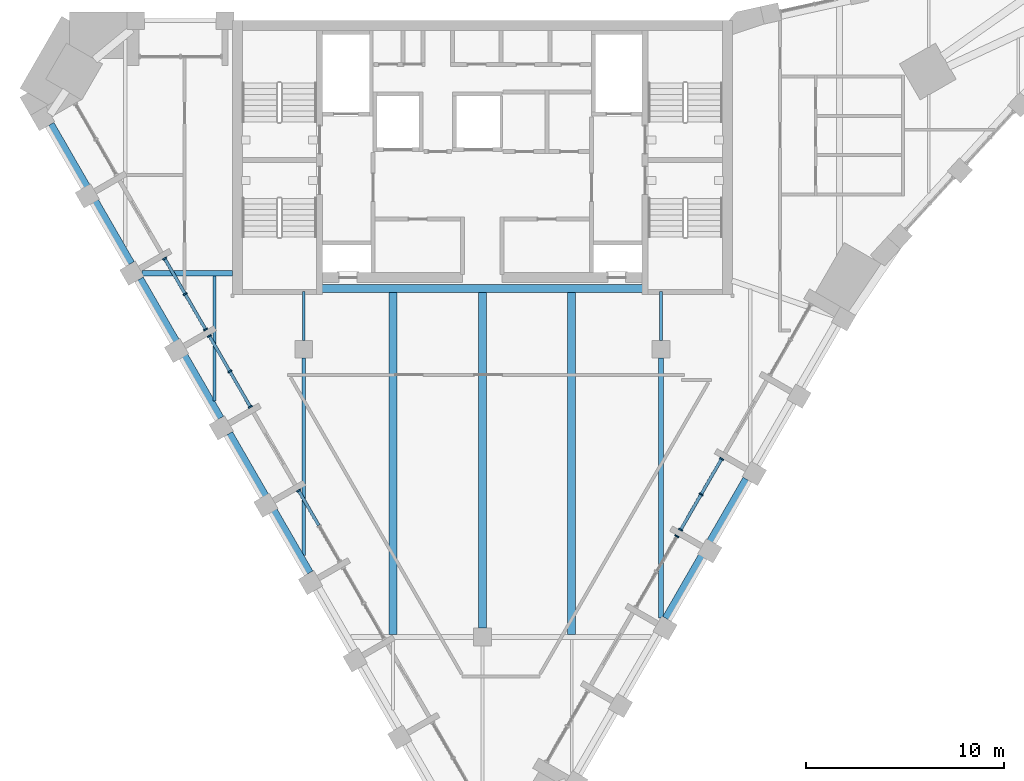
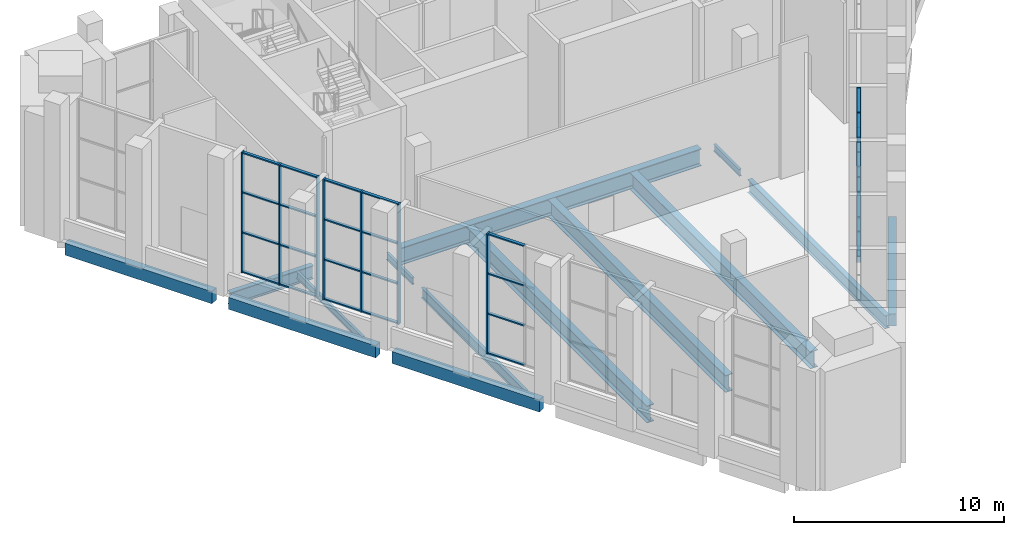
# One storey, part 3 of 16: 39 members, 14 beams, 5 elements without a shape of their own.
"""IFC4 building model written with IfcOpenShell, lengths in metres."""

from ifc_helpers import new_model, si_unit, direction, frame, origin, origin_2d, place, context, subcontext, project, spatial, rectangle, i_section, extrude, material, material_profile, profile_set, type_object, element, aggregate, save


model = new_model("IFC4")

# Units and contexts
model_context = context("Model", 3, precision=1e-05, world=origin(), true_north=direction((0.0, 1.0)))
body_context = subcontext(model_context, "Body", "Model", "MODEL_VIEW")
ifc_project = project(units=[si_unit("LENGTHUNIT", "METRE"), si_unit("AREAUNIT", "SQUARE_METRE"), si_unit("VOLUMEUNIT", "CUBIC_METRE"), si_unit("PLANEANGLEUNIT", "RADIAN"), si_unit("MASSUNIT", "GRAM", prefix="KILO")], contexts=[model_context])

# Site, building, storey
site_placement = place(None, origin())
site = spatial("IfcSite", under=ifc_project, at=site_placement, CompositionType="ELEMENT")
building_placement = place(site_placement, origin())
building = spatial("IfcBuilding", under=site, at=building_placement, Name="Calabash Gate Tower", CompositionType="ELEMENT")
storey_placement = place(building_placement, frame((0.0, 0.0, 302.5)))
storey = spatial("IfcBuildingStorey", under=building, at=storey_placement, Name="L72", CompositionType="ELEMENT", Elevation=302.5)

# Beams
ifc_material_1 = material(Name="Concrete C50/60", Category="concrete")
ifc_material_profile_1 = material_profile(ifc_material_1, rectangle(XDim=0.39990234375, YDim=0.699951171875, at=origin_2d()))
ifc_profile_set_1 = profile_set([ifc_material_profile_1], Name="Concrete C50/60")
beam_type_1 = type_object("IfcBeamType", Name="Edge beam RC 400x700 Concrete C50/60", PredefinedType="BEAM", material=ifc_profile_set_1)
beam_1_placement = place(storey_placement, frame((-12.763916015625, -1.758056640625, -0.64990234375), z_axis=(0.499977274689, -0.866038523851, 0.0), x_axis=(0.866038523851, 0.499977274689, 0.0)))
element("IfcBeam", 1, at=beam_1_placement, inside=storey, type_object=beam_type_1, Name="Edge beam L72 1", PredefinedType="BEAM", context=body_context, shape_type="SweptSolid", body=[
    extrude(rectangle(XDim=0.39990234375, YDim=0.699951171875, at=origin_2d()), origin(), (0.0, 0.0, 1.0), 8.10009765625),
])
beam_2_placement = place(storey_placement, frame((9.260009765625, -11.069091796875, -0.64990234375), z_axis=(0.499986829629, 0.866033007568, 0.0), x_axis=(-0.866033007568, 0.499986829629, 0.0)))
element("IfcBeam", 2, at=beam_2_placement, inside=storey, type_object=beam_type_1, Name="Edge beam L72 7", PredefinedType="BEAM", context=body_context, shape_type="SweptSolid", body=[
    extrude(rectangle(XDim=0.39990234375, YDim=0.699951171875, at=origin_2d()), origin(), (0.0, 0.0, 1.0), 8.100341796875),
])
beam_3_placement = place(storey_placement, frame((-21.763916015625, 13.830078125, -0.64990234375), z_axis=(0.500016430238, -0.866015917575, 0.0), x_axis=(0.866015917575, 0.500016430238, 0.0)))
element("IfcBeam", 3, at=beam_3_placement, inside=storey, type_object=beam_type_1, Name="Edge beam L72 18", PredefinedType="BEAM", context=body_context, shape_type="SweptSolid", body=[
    extrude(rectangle(XDim=0.39990234375, YDim=0.699951171875, at=origin_2d()), origin(), (0.0, 0.0, 1.0), 8.099365234375),
])
beam_4_placement = place(storey_placement, frame((-17.263916015625, 6.035888671875, -0.64990234375), z_axis=(0.499977274689, -0.866038523851, 0.0), x_axis=(0.866038523851, 0.499977274689, 0.0)))
element("IfcBeam", 4, at=beam_4_placement, inside=storey, type_object=beam_type_1, Name="Edge beam L72 19", PredefinedType="BEAM", context=body_context, shape_type="SweptSolid", body=[
    extrude(rectangle(XDim=0.39990234375, YDim=0.699951171875, at=origin_2d()), origin(), (0.0, 0.0, 1.0), 8.10009765625),
])
ifc_material_2 = material(Name="Steel ASTM A992 Gr50", Category="steel")
ifc_material_profile_2 = material_profile(ifc_material_2, i_section(OverallWidth=0.1396484375, OverallDepth=0.398681640625, WebThickness=0.00634765625, FlangeThickness=0.0087890625, FilletRadius=0.01025390625, at=origin_2d()))
ifc_profile_set_2 = profile_set([ifc_material_profile_2], Name="Steel ASTM A992 Gr50")
beam_type_2 = type_object("IfcBeamType", Name="Floor beam W16x26 ASTM A992 Gr50", PredefinedType="BEAM", material=ifc_profile_set_2)
beam_5_placement = place(storey_placement, frame((-13.5, -0.113037109375, -0.4990234375), z_axis=(0.0, 1.0, 0.0), x_axis=(-1.0, 0.0, 0.0)))
element("IfcBeam", 5, at=beam_5_placement, inside=storey, type_object=beam_type_2, Name="Floor beam L72 2", PredefinedType="BEAM", context=body_context, shape_type="SweptSolid", body=[
    extrude(i_section(OverallWidth=0.1396484375, OverallDepth=0.398681640625, WebThickness=0.00634765625, FlangeThickness=0.0087890625, FilletRadius=0.01025390625, at=origin_2d()), origin(), (0.0, 0.0, 1.0), 6.304931640625),
])
for number, where, z_axis, x_axis, name in (
    (6, (-9.0, 2.949951171875, -0.4990234375), (0.0, 1.0, 0.0), (-1.0, 0.0, 0.0), "Floor beam L72 4"),
    (7, (9.0, 2.949951171875, -0.4990234375), (0.0, 1.0, 0.0), (-1.0, 0.0, 0.0), "Floor beam L72 12"),
):
    element("IfcBeam", number, at=place(storey_placement, frame(where, z_axis=z_axis, x_axis=x_axis)), inside=storey, type_object=beam_type_2, Name=name, PredefinedType="BEAM", context=body_context, shape_type="SweptSolid", body=[
        extrude(i_section(OverallWidth=0.1396484375, OverallDepth=0.398681640625, WebThickness=0.00634765625, FlangeThickness=0.0087890625, FilletRadius=0.01025390625, at=origin_2d()), origin(), (0.0, 0.0, 1.0), 2.453125),
    ])
ifc_material_3 = material(Name="Steel ASTM A992 Gr50", Category="steel")
ifc_material_profile_3 = material_profile(ifc_material_3, i_section(OverallWidth=0.1787109375, OverallDepth=0.60205078125, WebThickness=0.010986328125, FlangeThickness=0.014892578125, FilletRadius=0.0126953125, at=origin_2d()))
ifc_profile_set_3 = profile_set([ifc_material_profile_3], Name="Steel ASTM A992 Gr50")
beam_type_3 = type_object("IfcBeamType", Name="Floor beam W24x62 ASTM A992 Gr50", PredefinedType="BEAM", material=ifc_profile_set_3)
beam_6_placement = place(storey_placement, frame((-9.0, -7.888916015625, -0.60107421875), z_axis=(0.0, 1.0, 0.0), x_axis=(-1.0, 0.0, 0.0)))
element("IfcBeam", 8, at=beam_6_placement, inside=storey, type_object=beam_type_3, Name="Floor beam L72 3", PredefinedType="BEAM", context=body_context, shape_type="SweptSolid", body=[
    extrude(i_section(OverallWidth=0.1787109375, OverallDepth=0.60205078125, WebThickness=0.010986328125, FlangeThickness=0.014892578125, FilletRadius=0.0126953125, at=origin_2d()), origin(), (0.0, 0.0, 1.0), 9.93896484375),
])
ifc_material_4 = material(Name="Steel ASTM A992 Gr50", Category="steel")
ifc_material_profile_4 = material_profile(ifc_material_4, i_section(OverallWidth=0.2666015625, OverallDepth=0.7568359375, WebThickness=0.013916015625, FlangeThickness=0.019287109375, FilletRadius=0.0166015625, at=origin_2d()))
ifc_profile_set_4 = profile_set([ifc_material_profile_4], Name="Steel ASTM A992 Gr50")
beam_type_4 = type_object("IfcBeamType", Name="Floor beam W30x108 ASTM A992 Gr50", PredefinedType="BEAM", material=ifc_profile_set_4)
beam_7_placement = place(storey_placement, frame((9.0, -11.051025390625, -0.677978515625), z_axis=(0.0, 1.0, 0.0), x_axis=(-1.0, 0.0, 0.0)))
element("IfcBeam", 9, at=beam_7_placement, inside=storey, type_object=beam_type_4, Name="Floor beam L72 11", PredefinedType="BEAM", context=body_context, shape_type="SweptSolid", body=[
    extrude(i_section(OverallWidth=0.2666015625, OverallDepth=0.7568359375, WebThickness=0.013916015625, FlangeThickness=0.019287109375, FilletRadius=0.0166015625, at=origin_2d()), origin(), (0.0, 0.0, 1.0), 13.10107421875),
])
ifc_material_5 = material(Name="Steel ASTM A992 Gr50", Category="steel")
ifc_material_profile_5 = material_profile(ifc_material_5, i_section(OverallWidth=0.4013671875, OverallDepth=0.990478515625, WebThickness=0.0166015625, FlangeThickness=0.031005859375, FilletRadius=0.030029296875, at=origin_2d()))
ifc_profile_set_5 = profile_set([ifc_material_profile_5], Name="Steel ASTM A992 Gr50")
beam_type_5 = type_object("IfcBeamType", Name="Floor beam W40x215 ASTM A992 Gr50", PredefinedType="BEAM", material=ifc_profile_set_5)
beam_8_placement = place(storey_placement, frame((-4.5, -11.866943359375, -0.79296875), z_axis=(0.0, 1.0, 0.0), x_axis=(-1.0, 0.0, 0.0)))
element("IfcBeam", 10, at=beam_8_placement, inside=storey, type_object=beam_type_5, Name="Floor beam L72 6", PredefinedType="BEAM", context=body_context, shape_type="SweptSolid", body=[
    extrude(i_section(OverallWidth=0.4013671875, OverallDepth=0.990478515625, WebThickness=0.0166015625, FlangeThickness=0.031005859375, FilletRadius=0.030029296875, at=origin_2d()), origin(), (0.0, 0.0, 1.0), 17.218994140625),
])
beam_9_placement = place(storey_placement, frame((0.0, -11.550048828125, -0.79296875), z_axis=(0.0, 1.0, 0.0), x_axis=(-1.0, 0.0, 0.0)))
element("IfcBeam", 11, at=beam_9_placement, inside=storey, type_object=beam_type_5, Name="Floor beam L72 8", PredefinedType="BEAM", context=body_context, shape_type="SweptSolid", body=[
    extrude(i_section(OverallWidth=0.4013671875, OverallDepth=0.990478515625, WebThickness=0.0166015625, FlangeThickness=0.031005859375, FilletRadius=0.030029296875, at=origin_2d()), origin(), (0.0, 0.0, 1.0), 16.902099609375),
])
beam_10_placement = place(storey_placement, frame((4.5, -11.866943359375, -0.79296875), z_axis=(0.0, 1.0, 0.0), x_axis=(-1.0, 0.0, 0.0)))
element("IfcBeam", 12, at=beam_10_placement, inside=storey, type_object=beam_type_5, Name="Floor beam L72 10", PredefinedType="BEAM", context=body_context, shape_type="SweptSolid", body=[
    extrude(i_section(OverallWidth=0.4013671875, OverallDepth=0.990478515625, WebThickness=0.0166015625, FlangeThickness=0.031005859375, FilletRadius=0.030029296875, at=origin_2d()), origin(), (0.0, 0.0, 1.0), 17.218994140625),
])
ifc_material_6 = material(Name="Steel ASTM A992 Gr50", Category="steel")
ifc_material_profile_6 = material_profile(ifc_material_6, i_section(OverallWidth=0.2666015625, OverallDepth=0.77978515625, WebThickness=0.0166015625, FlangeThickness=0.030029296875, FilletRadius=0.0166015625, at=origin_2d()))
ifc_profile_set_6 = profile_set([ifc_material_profile_6], Name="Steel ASTM A992 Gr50")
beam_type_6 = type_object("IfcBeamType", Name="Girder W30x148 ASTM A992 Gr50", PredefinedType="BEAM", material=ifc_profile_set_6)
beam_11_placement = place(storey_placement, frame((-17.1640625, 6.325927734375, -0.68994140625), z_axis=(1.0, 0.0, 0.0), x_axis=(0.0, 1.0, 0.0)))
element("IfcBeam", 13, at=beam_11_placement, inside=storey, type_object=beam_type_6, Name="Girder L72 2", PredefinedType="BEAM", context=body_context, shape_type="SweptSolid", body=[
    extrude(i_section(OverallWidth=0.2666015625, OverallDepth=0.77978515625, WebThickness=0.0166015625, FlangeThickness=0.030029296875, FilletRadius=0.0166015625, at=origin_2d()), origin(), (0.0, 0.0, 1.0), 4.56396484375),
])
ifc_material_7 = material(Name="Steel ASTM A992 Gr50", Category="steel")
ifc_material_profile_7 = material_profile(ifc_material_7, i_section(OverallWidth=0.4013671875, OverallDepth=1.000732421875, WebThickness=0.01904296875, FlangeThickness=0.0361328125, FilletRadius=0.030029296875, at=origin_2d()))
ifc_profile_set_7 = profile_set([ifc_material_profile_7], Name="Steel ASTM A992 Gr50")
beam_type_7 = type_object("IfcBeamType", Name="Girder W40x249 ASTM A992 Gr50", PredefinedType="BEAM", material=ifc_profile_set_7)
beam_12_placement = place(storey_placement, frame((-8.25, 5.552978515625, -0.800048828125), z_axis=(1.0, 0.0, 0.0), x_axis=(0.0, 1.0, 0.0)))
element("IfcBeam", 14, at=beam_12_placement, inside=storey, type_object=beam_type_7, Name="Girder L72 1", PredefinedType="BEAM", context=body_context, shape_type="SweptSolid", body=[
    extrude(i_section(OverallWidth=0.4013671875, OverallDepth=1.000732421875, WebThickness=0.01904296875, FlangeThickness=0.0361328125, FilletRadius=0.030029296875, at=origin_2d()), origin(), (0.0, 0.0, 1.0), 16.5),
])

# Curtain wall, members
ifc_material_8 = material(Name="Anodised aluminium frame, bronze finish, clear laminated impact-rated glazing", Category="aluminium")
curtain_wall_type = type_object("IfcCurtainWallType", Name="Curtain wall CWO observation deck wall", PredefinedType="NOTDEFINED", material=ifc_material_8)
curtain_wall_1_placement = place(storey_placement, origin())
curtain_wall_1 = element("IfcCurtainWall", 15, at=curtain_wall_1_placement, inside=storey, type_object=curtain_wall_type, Name="Curtain wall CWO L72 SW0.3", PredefinedType="NOTDEFINED")
ifc_material_9 = material(Name="Anodised aluminium frame, bronze finish", Category="aluminium")
ifc_material_profile_8 = material_profile(ifc_material_9, rectangle(XDim=0.219970703125, YDim=0.074951171875, at=origin_2d()))
ifc_profile_set_8 = profile_set([ifc_material_profile_8], Name="Anodised aluminium frame, bronze finish")
member_type_1 = type_object("IfcMemberType", Name="Mullion CWO 75x220", PredefinedType="MULLION", material=ifc_profile_set_8)
member_1_placement = place(storey_placement, frame((-16.00927734375, 7.0634765625, 0.0), z_axis=(0.0, 0.0, 1.0), x_axis=(0.866025421884, 0.499999968652, 0.0)))
member_1 = element("IfcMember", 16, at=member_1_placement, type_object=member_type_1, Name="CWO mullion 1", PredefinedType="MULLION", context=body_context, shape_type="SweptSolid", body=[
    extrude(rectangle(XDim=0.219970703125, YDim=0.074951171875, at=origin_2d()), origin(), (0.0, 0.0, 1.0), 7.0),
])
member_2_placement = place(storey_placement, frame((-14.97802734375, 5.27734375, 0.0), z_axis=(0.0, 0.0, 1.0), x_axis=(0.866025421884, 0.499999968652, 0.0)))
member_2 = element("IfcMember", 17, at=member_2_placement, type_object=member_type_1, Name="CWO mullion 2", PredefinedType="MULLION", context=body_context, shape_type="SweptSolid", body=[
    extrude(rectangle(XDim=0.219970703125, YDim=0.074951171875, at=origin_2d()), origin(), (0.0, 0.0, 1.0), 7.0),
])
member_3_placement = place(storey_placement, frame((-13.94677734375, 3.4912109375, 0.0), z_axis=(0.0, 0.0, 1.0), x_axis=(0.866025421884, 0.499999968652, 0.0)))
member_3 = element("IfcMember", 18, at=member_3_placement, type_object=member_type_1, Name="CWO mullion 3", PredefinedType="MULLION", context=body_context, shape_type="SweptSolid", body=[
    extrude(rectangle(XDim=0.219970703125, YDim=0.074951171875, at=origin_2d()), origin(), (0.0, 0.0, 1.0), 7.0),
])

curtain_wall_2_placement = place(storey_placement, origin())
curtain_wall_2 = element("IfcCurtainWall", 19, at=curtain_wall_2_placement, inside=storey, type_object=curtain_wall_type, Name="Curtain wall CWO L72 SW0.4", PredefinedType="NOTDEFINED")
member_4_placement = place(storey_placement, frame((-13.75927734375, 3.166259765625, 0.0), z_axis=(0.0, 0.0, 1.0), x_axis=(0.866025362359, 0.500000071751, 0.0)))
member_4 = element("IfcMember", 20, at=member_4_placement, type_object=member_type_1, Name="CWO mullion 1", PredefinedType="MULLION", context=body_context, shape_type="SweptSolid", body=[
    extrude(rectangle(XDim=0.219970703125, YDim=0.074951171875, at=origin_2d()), origin(), (0.0, 0.0, 1.0), 7.0),
])
member_5_placement = place(storey_placement, frame((-12.72802734375, 1.380126953125, 0.0), z_axis=(0.0, 0.0, 1.0), x_axis=(0.866025362359, 0.500000071751, 0.0)))
member_5 = element("IfcMember", 21, at=member_5_placement, type_object=member_type_1, Name="CWO mullion 2", PredefinedType="MULLION", context=body_context, shape_type="SweptSolid", body=[
    extrude(rectangle(XDim=0.219970703125, YDim=0.074951171875, at=origin_2d()), origin(), (0.0, 0.0, 1.0), 7.0),
])
member_6_placement = place(storey_placement, frame((-11.69677734375, -0.406005859375, 0.0), z_axis=(0.0, 0.0, 1.0), x_axis=(0.866025362359, 0.500000071751, 0.0)))
member_6 = element("IfcMember", 22, at=member_6_placement, type_object=member_type_1, Name="CWO mullion 3", PredefinedType="MULLION", context=body_context, shape_type="SweptSolid", body=[
    extrude(rectangle(XDim=0.219970703125, YDim=0.074951171875, at=origin_2d()), origin(), (0.0, 0.0, 1.0), 7.0),
])

# Curtain wall, member
curtain_wall_3_placement = place(storey_placement, origin())
curtain_wall_3 = element("IfcCurtainWall", 23, at=curtain_wall_3_placement, inside=storey, type_object=curtain_wall_type, Name="Curtain wall CWO L72 SW0.6", PredefinedType="NOTDEFINED")
member_7_placement = place(storey_placement, frame((-9.25927734375, -4.6279296875, 0.0), z_axis=(0.0, 0.0, 1.0), x_axis=(0.866025421884, 0.499999968652, 0.0)))
member_7 = element("IfcMember", 24, at=member_7_placement, type_object=member_type_1, Name="CWO mullion 1", PredefinedType="MULLION", context=body_context, shape_type="SweptSolid", body=[
    extrude(rectangle(XDim=0.219970703125, YDim=0.074951171875, at=origin_2d()), origin(), (0.0, 0.0, 1.0), 7.0),
])

curtain_wall_4_placement = place(storey_placement, origin())
curtain_wall_4 = element("IfcCurtainWall", 25, at=curtain_wall_4_placement, inside=storey, type_object=curtain_wall_type, Name="Curtain wall CWO L72 SE2.3", PredefinedType="NOTDEFINED")
member_8_placement = place(storey_placement, frame((9.805419921875, -6.92431640625, 0.0), z_axis=(0.0, 0.0, 1.0), x_axis=(-0.866025421884, 0.499999968652, 0.0)))
member_8 = element("IfcMember", 26, at=member_8_placement, type_object=member_type_1, Name="CWO mullion 3", PredefinedType="MULLION", context=body_context, shape_type="SweptSolid", body=[
    extrude(rectangle(XDim=0.219970703125, YDim=0.074951171875, at=origin_2d()), origin(), (0.0, 0.0, 1.0), 7.0),
])
aggregate(curtain_wall_4, [member_8])

# Curtain wall, members
curtain_wall_5_placement = place(storey_placement, origin())
curtain_wall_5 = element("IfcCurtainWall", 27, at=curtain_wall_5_placement, inside=storey, type_object=curtain_wall_type, Name="Curtain wall CWO L72 SE2.4", PredefinedType="NOTDEFINED")
member_9_placement = place(storey_placement, frame((9.992919921875, -6.599365234375, 0.0), z_axis=(0.0, 0.0, 1.0), x_axis=(-0.866025362359, 0.500000071751, 0.0)))
member_9 = element("IfcMember", 28, at=member_9_placement, type_object=member_type_1, Name="CWO mullion 1", PredefinedType="MULLION", context=body_context, shape_type="SweptSolid", body=[
    extrude(rectangle(XDim=0.219970703125, YDim=0.074951171875, at=origin_2d()), origin(), (0.0, 0.0, 1.0), 7.0),
])
member_10_placement = place(storey_placement, frame((11.024169921875, -4.813232421875, 0.0), z_axis=(0.0, 0.0, 1.0), x_axis=(-0.866025362359, 0.500000071751, 0.0)))
member_10 = element("IfcMember", 29, at=member_10_placement, type_object=member_type_1, Name="CWO mullion 2", PredefinedType="MULLION", context=body_context, shape_type="SweptSolid", body=[
    extrude(rectangle(XDim=0.219970703125, YDim=0.074951171875, at=origin_2d()), origin(), (0.0, 0.0, 1.0), 7.0),
])
member_11_placement = place(storey_placement, frame((12.055419921875, -3.027099609375, 0.0), z_axis=(0.0, 0.0, 1.0), x_axis=(-0.866025362359, 0.500000071751, 0.0)))
member_11 = element("IfcMember", 30, at=member_11_placement, type_object=member_type_1, Name="CWO mullion 3", PredefinedType="MULLION", context=body_context, shape_type="SweptSolid", body=[
    extrude(rectangle(XDim=0.219970703125, YDim=0.074951171875, at=origin_2d()), origin(), (0.0, 0.0, 1.0), 7.0),
])

# Member
ifc_material_10 = material(Name="Anodised aluminium frame, bronze finish", Category="aluminium")
ifc_material_profile_9 = material_profile(ifc_material_10, rectangle(XDim=0.159912109375, YDim=0.074951171875, at=origin_2d()))
ifc_profile_set_9 = profile_set([ifc_material_profile_9], Name="Anodised aluminium frame, bronze finish")
member_type_2 = type_object("IfcMemberType", Name="Transom CWO 75x160", PredefinedType="USERDEFINED", material=ifc_profile_set_9)
member_12_placement = place(storey_placement, frame((-15.990478515625, 7.031005859375, 0.03759765625), z_axis=(0.4999705729, -0.866042392862, 0.0), x_axis=(0.866042392862, 0.4999705729, 0.0)))
member_12 = element("IfcMember", 31, at=member_12_placement, type_object=member_type_2, Name="CWO transom 1.1", ObjectType="TRANSOM", PredefinedType="USERDEFINED", context=body_context, shape_type="SweptSolid", body=[
    extrude(rectangle(XDim=0.159912109375, YDim=0.074951171875, at=origin_2d()), origin(), (0.0, 0.0, 1.0), 1.9873046875),
])

member_13_placement = place(storey_placement, frame((-15.990478515625, 7.031005859375, 2.333251953125), z_axis=(0.4999705729, -0.866042392862, 0.0), x_axis=(0.866042392862, 0.4999705729, 0.0)))
member_13 = element("IfcMember", 32, at=member_13_placement, type_object=member_type_2, Name="CWO transom 1.2", ObjectType="TRANSOM", PredefinedType="USERDEFINED", context=body_context, shape_type="SweptSolid", body=[
    extrude(rectangle(XDim=0.159912109375, YDim=0.074951171875, at=origin_2d()), origin(), (0.0, 0.0, 1.0), 1.9873046875),
])

member_14_placement = place(storey_placement, frame((-15.990478515625, 7.031005859375, 4.666748046875), z_axis=(0.4999705729, -0.866042392862, 0.0), x_axis=(0.866042392862, 0.4999705729, 0.0)))
member_14 = element("IfcMember", 33, at=member_14_placement, type_object=member_type_2, Name="CWO transom 1.3", ObjectType="TRANSOM", PredefinedType="USERDEFINED", context=body_context, shape_type="SweptSolid", body=[
    extrude(rectangle(XDim=0.159912109375, YDim=0.074951171875, at=origin_2d()), origin(), (0.0, 0.0, 1.0), 1.9873046875),
])

member_15_placement = place(storey_placement, frame((-15.990478515625, 7.031005859375, 6.96240234375), z_axis=(0.4999705729, -0.866042392862, 0.0), x_axis=(0.866042392862, 0.4999705729, 0.0)))
member_15 = element("IfcMember", 34, at=member_15_placement, type_object=member_type_2, Name="CWO transom 1.4", ObjectType="TRANSOM", PredefinedType="USERDEFINED", context=body_context, shape_type="SweptSolid", body=[
    extrude(rectangle(XDim=0.159912109375, YDim=0.074951171875, at=origin_2d()), origin(), (0.0, 0.0, 1.0), 1.9873046875),
])

member_16_placement = place(storey_placement, frame((-14.959228515625, 5.244873046875, 0.03759765625), z_axis=(0.4999705729, -0.866042392862, 0.0), x_axis=(0.866042392862, 0.4999705729, 0.0)))
member_16 = element("IfcMember", 35, at=member_16_placement, type_object=member_type_2, Name="CWO transom 2.1", ObjectType="TRANSOM", PredefinedType="USERDEFINED", context=body_context, shape_type="SweptSolid", body=[
    extrude(rectangle(XDim=0.159912109375, YDim=0.074951171875, at=origin_2d()), origin(), (0.0, 0.0, 1.0), 1.9873046875),
])

member_17_placement = place(storey_placement, frame((-14.959228515625, 5.244873046875, 2.333251953125), z_axis=(0.4999705729, -0.866042392862, 0.0), x_axis=(0.866042392862, 0.4999705729, 0.0)))
member_17 = element("IfcMember", 36, at=member_17_placement, type_object=member_type_2, Name="CWO transom 2.2", ObjectType="TRANSOM", PredefinedType="USERDEFINED", context=body_context, shape_type="SweptSolid", body=[
    extrude(rectangle(XDim=0.159912109375, YDim=0.074951171875, at=origin_2d()), origin(), (0.0, 0.0, 1.0), 1.9873046875),
])

member_18_placement = place(storey_placement, frame((-14.959228515625, 5.244873046875, 4.666748046875), z_axis=(0.4999705729, -0.866042392862, 0.0), x_axis=(0.866042392862, 0.4999705729, 0.0)))
member_18 = element("IfcMember", 37, at=member_18_placement, type_object=member_type_2, Name="CWO transom 2.3", ObjectType="TRANSOM", PredefinedType="USERDEFINED", context=body_context, shape_type="SweptSolid", body=[
    extrude(rectangle(XDim=0.159912109375, YDim=0.074951171875, at=origin_2d()), origin(), (0.0, 0.0, 1.0), 1.9873046875),
])

member_19_placement = place(storey_placement, frame((-14.959228515625, 5.244873046875, 6.96240234375), z_axis=(0.4999705729, -0.866042392862, 0.0), x_axis=(0.866042392862, 0.4999705729, 0.0)))
member_19 = element("IfcMember", 38, at=member_19_placement, type_object=member_type_2, Name="CWO transom 2.4", ObjectType="TRANSOM", PredefinedType="USERDEFINED", context=body_context, shape_type="SweptSolid", body=[
    extrude(rectangle(XDim=0.159912109375, YDim=0.074951171875, at=origin_2d()), origin(), (0.0, 0.0, 1.0), 1.9873046875),
])

aggregate(curtain_wall_1, [member_1, member_2, member_3, member_12, member_13, member_14, member_15, member_16, member_17, member_18, member_19])

member_20_placement = place(storey_placement, frame((-13.740478515625, 3.1337890625, 0.03759765625), z_axis=(0.4999705729, -0.866042392862, 0.0), x_axis=(0.866042392862, 0.4999705729, 0.0)))
member_20 = element("IfcMember", 39, at=member_20_placement, type_object=member_type_2, Name="CWO transom 1.1", ObjectType="TRANSOM", PredefinedType="USERDEFINED", context=body_context, shape_type="SweptSolid", body=[
    extrude(rectangle(XDim=0.159912109375, YDim=0.074951171875, at=origin_2d()), origin(), (0.0, 0.0, 1.0), 1.9873046875),
])

member_21_placement = place(storey_placement, frame((-13.740478515625, 3.1337890625, 2.333251953125), z_axis=(0.4999705729, -0.866042392862, 0.0), x_axis=(0.866042392862, 0.4999705729, 0.0)))
member_21 = element("IfcMember", 40, at=member_21_placement, type_object=member_type_2, Name="CWO transom 1.2", ObjectType="TRANSOM", PredefinedType="USERDEFINED", context=body_context, shape_type="SweptSolid", body=[
    extrude(rectangle(XDim=0.159912109375, YDim=0.074951171875, at=origin_2d()), origin(), (0.0, 0.0, 1.0), 1.9873046875),
])

member_22_placement = place(storey_placement, frame((-13.740478515625, 3.1337890625, 4.666748046875), z_axis=(0.4999705729, -0.866042392862, 0.0), x_axis=(0.866042392862, 0.4999705729, 0.0)))
member_22 = element("IfcMember", 41, at=member_22_placement, type_object=member_type_2, Name="CWO transom 1.3", ObjectType="TRANSOM", PredefinedType="USERDEFINED", context=body_context, shape_type="SweptSolid", body=[
    extrude(rectangle(XDim=0.159912109375, YDim=0.074951171875, at=origin_2d()), origin(), (0.0, 0.0, 1.0), 1.9873046875),
])

member_23_placement = place(storey_placement, frame((-13.740478515625, 3.1337890625, 6.96240234375), z_axis=(0.4999705729, -0.866042392862, 0.0), x_axis=(0.866042392862, 0.4999705729, 0.0)))
member_23 = element("IfcMember", 42, at=member_23_placement, type_object=member_type_2, Name="CWO transom 1.4", ObjectType="TRANSOM", PredefinedType="USERDEFINED", context=body_context, shape_type="SweptSolid", body=[
    extrude(rectangle(XDim=0.159912109375, YDim=0.074951171875, at=origin_2d()), origin(), (0.0, 0.0, 1.0), 1.9873046875),
])

member_24_placement = place(storey_placement, frame((-12.709228515625, 1.34765625, 0.03759765625), z_axis=(0.4999705729, -0.866042392862, 0.0), x_axis=(0.866042392862, 0.4999705729, 0.0)))
member_24 = element("IfcMember", 43, at=member_24_placement, type_object=member_type_2, Name="CWO transom 2.1", ObjectType="TRANSOM", PredefinedType="USERDEFINED", context=body_context, shape_type="SweptSolid", body=[
    extrude(rectangle(XDim=0.159912109375, YDim=0.074951171875, at=origin_2d()), origin(), (0.0, 0.0, 1.0), 1.9873046875),
])

member_25_placement = place(storey_placement, frame((-12.709228515625, 1.34765625, 2.333251953125), z_axis=(0.4999705729, -0.866042392862, 0.0), x_axis=(0.866042392862, 0.4999705729, 0.0)))
member_25 = element("IfcMember", 44, at=member_25_placement, type_object=member_type_2, Name="CWO transom 2.2", ObjectType="TRANSOM", PredefinedType="USERDEFINED", context=body_context, shape_type="SweptSolid", body=[
    extrude(rectangle(XDim=0.159912109375, YDim=0.074951171875, at=origin_2d()), origin(), (0.0, 0.0, 1.0), 1.9873046875),
])

member_26_placement = place(storey_placement, frame((-12.709228515625, 1.34765625, 4.666748046875), z_axis=(0.4999705729, -0.866042392862, 0.0), x_axis=(0.866042392862, 0.4999705729, 0.0)))
member_26 = element("IfcMember", 45, at=member_26_placement, type_object=member_type_2, Name="CWO transom 2.3", ObjectType="TRANSOM", PredefinedType="USERDEFINED", context=body_context, shape_type="SweptSolid", body=[
    extrude(rectangle(XDim=0.159912109375, YDim=0.074951171875, at=origin_2d()), origin(), (0.0, 0.0, 1.0), 1.9873046875),
])

member_27_placement = place(storey_placement, frame((-12.709228515625, 1.34765625, 6.96240234375), z_axis=(0.4999705729, -0.866042392862, 0.0), x_axis=(0.866042392862, 0.4999705729, 0.0)))
member_27 = element("IfcMember", 46, at=member_27_placement, type_object=member_type_2, Name="CWO transom 2.4", ObjectType="TRANSOM", PredefinedType="USERDEFINED", context=body_context, shape_type="SweptSolid", body=[
    extrude(rectangle(XDim=0.159912109375, YDim=0.074951171875, at=origin_2d()), origin(), (0.0, 0.0, 1.0), 1.9873046875),
])

aggregate(curtain_wall_2, [member_4, member_5, member_6, member_20, member_21, member_22, member_23, member_24, member_25, member_26, member_27])

member_28_placement = place(storey_placement, frame((-9.240478515625, -4.660400390625, 0.03759765625), z_axis=(0.4999705729, -0.866042392862, 0.0), x_axis=(0.866042392862, 0.4999705729, 0.0)))
member_28 = element("IfcMember", 47, at=member_28_placement, type_object=member_type_2, Name="CWO transom 1.1", ObjectType="TRANSOM", PredefinedType="USERDEFINED", context=body_context, shape_type="SweptSolid", body=[
    extrude(rectangle(XDim=0.159912109375, YDim=0.074951171875, at=origin_2d()), origin(), (0.0, 0.0, 1.0), 1.9873046875),
])

member_29_placement = place(storey_placement, frame((-9.240478515625, -4.660400390625, 2.333251953125), z_axis=(0.4999705729, -0.866042392862, 0.0), x_axis=(0.866042392862, 0.4999705729, 0.0)))
member_29 = element("IfcMember", 48, at=member_29_placement, type_object=member_type_2, Name="CWO transom 1.2", ObjectType="TRANSOM", PredefinedType="USERDEFINED", context=body_context, shape_type="SweptSolid", body=[
    extrude(rectangle(XDim=0.159912109375, YDim=0.074951171875, at=origin_2d()), origin(), (0.0, 0.0, 1.0), 1.9873046875),
])

member_30_placement = place(storey_placement, frame((-9.240478515625, -4.660400390625, 4.666748046875), z_axis=(0.4999705729, -0.866042392862, 0.0), x_axis=(0.866042392862, 0.4999705729, 0.0)))
member_30 = element("IfcMember", 49, at=member_30_placement, type_object=member_type_2, Name="CWO transom 1.3", ObjectType="TRANSOM", PredefinedType="USERDEFINED", context=body_context, shape_type="SweptSolid", body=[
    extrude(rectangle(XDim=0.159912109375, YDim=0.074951171875, at=origin_2d()), origin(), (0.0, 0.0, 1.0), 1.9873046875),
])

member_31_placement = place(storey_placement, frame((-9.240478515625, -4.660400390625, 6.96240234375), z_axis=(0.4999705729, -0.866042392862, 0.0), x_axis=(0.866042392862, 0.4999705729, 0.0)))
member_31 = element("IfcMember", 50, at=member_31_placement, type_object=member_type_2, Name="CWO transom 1.4", ObjectType="TRANSOM", PredefinedType="USERDEFINED", context=body_context, shape_type="SweptSolid", body=[
    extrude(rectangle(XDim=0.159912109375, YDim=0.074951171875, at=origin_2d()), origin(), (0.0, 0.0, 1.0), 1.9873046875),
])

aggregate(curtain_wall_3, [member_7, member_28, member_29, member_30, member_31])

member_32_placement = place(storey_placement, frame((10.011474609375, -6.56689453125, 0.03759765625), z_axis=(0.500062700197, 0.865989200783, 0.0), x_axis=(-0.865989200783, 0.500062700197, 0.0)))
member_32 = element("IfcMember", 51, at=member_32_placement, type_object=member_type_2, Name="CWO transom 1.1", ObjectType="TRANSOM", PredefinedType="USERDEFINED", context=body_context, shape_type="SweptSolid", body=[
    extrude(rectangle(XDim=0.159912109375, YDim=0.074951171875, at=origin_2d()), origin(), (0.0, 0.0, 1.0), 1.987548828125),
])

member_33_placement = place(storey_placement, frame((10.011474609375, -6.56689453125, 2.333251953125), z_axis=(0.500062700197, 0.865989200783, 0.0), x_axis=(-0.865989200783, 0.500062700197, 0.0)))
member_33 = element("IfcMember", 52, at=member_33_placement, type_object=member_type_2, Name="CWO transom 1.2", ObjectType="TRANSOM", PredefinedType="USERDEFINED", context=body_context, shape_type="SweptSolid", body=[
    extrude(rectangle(XDim=0.159912109375, YDim=0.074951171875, at=origin_2d()), origin(), (0.0, 0.0, 1.0), 1.987548828125),
])

member_34_placement = place(storey_placement, frame((10.011474609375, -6.56689453125, 4.666748046875), z_axis=(0.500062700197, 0.865989200783, 0.0), x_axis=(-0.865989200783, 0.500062700197, 0.0)))
member_34 = element("IfcMember", 53, at=member_34_placement, type_object=member_type_2, Name="CWO transom 1.3", ObjectType="TRANSOM", PredefinedType="USERDEFINED", context=body_context, shape_type="SweptSolid", body=[
    extrude(rectangle(XDim=0.159912109375, YDim=0.074951171875, at=origin_2d()), origin(), (0.0, 0.0, 1.0), 1.987548828125),
])

member_35_placement = place(storey_placement, frame((10.011474609375, -6.56689453125, 6.96240234375), z_axis=(0.500062700197, 0.865989200783, 0.0), x_axis=(-0.865989200783, 0.500062700197, 0.0)))
member_35 = element("IfcMember", 54, at=member_35_placement, type_object=member_type_2, Name="CWO transom 1.4", ObjectType="TRANSOM", PredefinedType="USERDEFINED", context=body_context, shape_type="SweptSolid", body=[
    extrude(rectangle(XDim=0.159912109375, YDim=0.074951171875, at=origin_2d()), origin(), (0.0, 0.0, 1.0), 1.987548828125),
])

member_36_placement = place(storey_placement, frame((11.042724609375, -4.78076171875, 0.03759765625), z_axis=(0.500062700197, 0.865989200783, 0.0), x_axis=(-0.865989200783, 0.500062700197, 0.0)))
member_36 = element("IfcMember", 55, at=member_36_placement, type_object=member_type_2, Name="CWO transom 2.1", ObjectType="TRANSOM", PredefinedType="USERDEFINED", context=body_context, shape_type="SweptSolid", body=[
    extrude(rectangle(XDim=0.159912109375, YDim=0.074951171875, at=origin_2d()), origin(), (0.0, 0.0, 1.0), 1.987548828125),
])

member_37_placement = place(storey_placement, frame((11.042724609375, -4.78076171875, 2.333251953125), z_axis=(0.500062700197, 0.865989200783, 0.0), x_axis=(-0.865989200783, 0.500062700197, 0.0)))
member_37 = element("IfcMember", 56, at=member_37_placement, type_object=member_type_2, Name="CWO transom 2.2", ObjectType="TRANSOM", PredefinedType="USERDEFINED", context=body_context, shape_type="SweptSolid", body=[
    extrude(rectangle(XDim=0.159912109375, YDim=0.074951171875, at=origin_2d()), origin(), (0.0, 0.0, 1.0), 1.987548828125),
])

member_38_placement = place(storey_placement, frame((11.042724609375, -4.78076171875, 4.666748046875), z_axis=(0.500062700197, 0.865989200783, 0.0), x_axis=(-0.865989200783, 0.500062700197, 0.0)))
member_38 = element("IfcMember", 57, at=member_38_placement, type_object=member_type_2, Name="CWO transom 2.3", ObjectType="TRANSOM", PredefinedType="USERDEFINED", context=body_context, shape_type="SweptSolid", body=[
    extrude(rectangle(XDim=0.159912109375, YDim=0.074951171875, at=origin_2d()), origin(), (0.0, 0.0, 1.0), 1.987548828125),
])

member_39_placement = place(storey_placement, frame((11.042724609375, -4.78076171875, 6.96240234375), z_axis=(0.500062700197, 0.865989200783, 0.0), x_axis=(-0.865989200783, 0.500062700197, 0.0)))
member_39 = element("IfcMember", 58, at=member_39_placement, type_object=member_type_2, Name="CWO transom 2.4", ObjectType="TRANSOM", PredefinedType="USERDEFINED", context=body_context, shape_type="SweptSolid", body=[
    extrude(rectangle(XDim=0.159912109375, YDim=0.074951171875, at=origin_2d()), origin(), (0.0, 0.0, 1.0), 1.987548828125),
])

aggregate(curtain_wall_5, [member_9, member_10, member_11, member_32, member_33, member_34, member_35, member_36, member_37, member_38, member_39])

save(model, "model.ifc")
